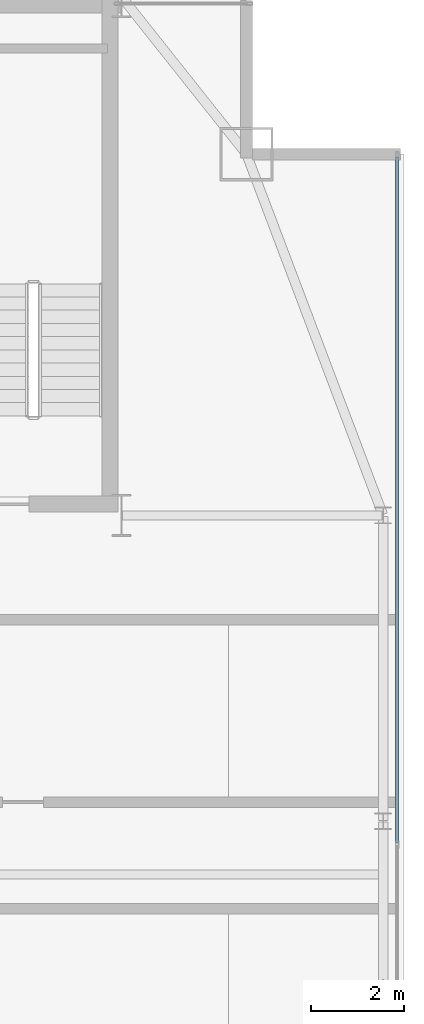
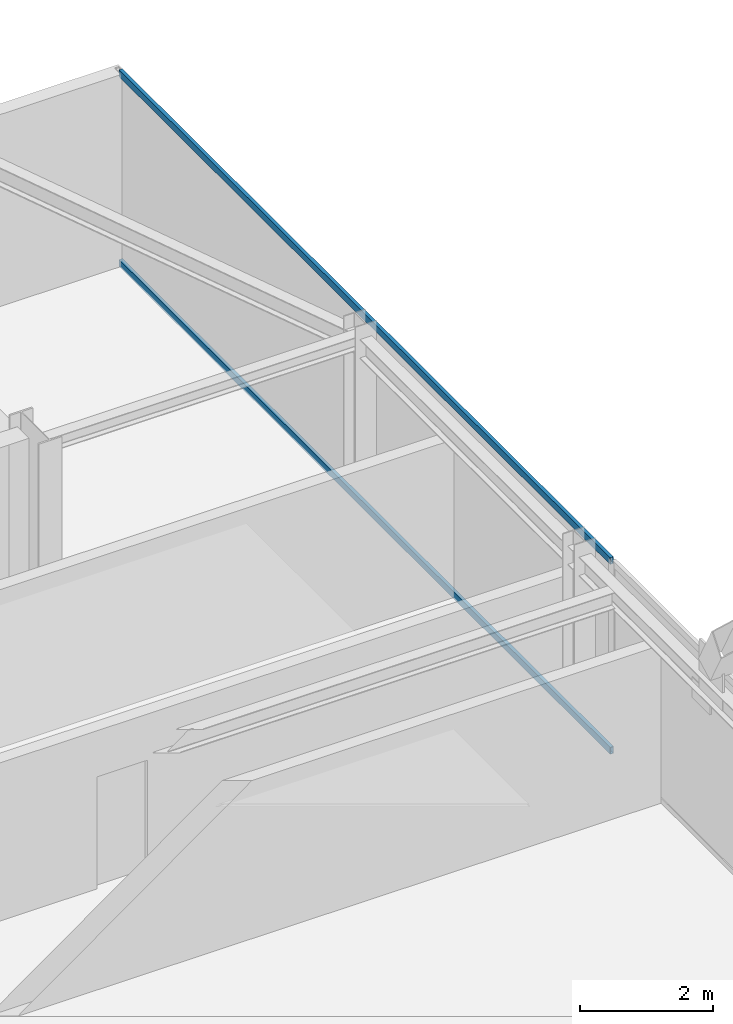
# One storey, part 16 of 26: 2 members, 1 element without a shape of its own.
"""IFC4 building model written with IfcOpenShell, lengths in metres."""

import ifcopenshell
import ifcopenshell.guid

model = None  # the IFC model being written
_history = None  # IfcOwnerHistory: only IFC2X3 demands one
_inside = {}  # id of a spatial element -> (the spatial element, [elements in it])
_under = {}  # id of a project, library or spatial element -> (it, [spatial elements below it])
_declared = {}  # id of a project -> (the project, [libraries it declares])
_typed = {}  # id of a type object -> (the type object, [elements of that type])
_made_of = {}  # id of a material, layer set ... -> (it, [elements and type objects made of it])


def new_model(schema):
    """Start an empty IFC model of exactly this schema.

    Asked for "IFC4X3", IfcOpenShell would pick the latest addendum, in which some entities
    have other attributes; the version numbers below select the first issue.
    IFC2X3 requires an IfcOwnerHistory on every rooted entity: one is made here for all.
    """
    global model, _history
    if schema == "IFC4X3":
        model = ifcopenshell.file(schema_version=(4, 3, 0, 0))
    else:
        model = ifcopenshell.file(schema=schema)
    _inside.clear()
    _under.clear()
    _declared.clear()
    _typed.clear()
    _made_of.clear()
    _history = None
    if model.schema == "IFC2X3":
        org = make("IfcOrganization", Name="unknown")
        user = make(
            "IfcPersonAndOrganization",
            ThePerson=make("IfcPerson", FamilyName="unknown"),
            TheOrganization=org,
        )
        app = make(
            "IfcApplication",
            ApplicationDeveloper=org,
            Version="unknown",
            ApplicationFullName="unknown",
            ApplicationIdentifier="unknown",
        )
        _history = make(
            "IfcOwnerHistory",
            OwningUser=user,
            OwningApplication=app,
            ChangeAction="ADDED",
            CreationDate=0,
        )
    return model


def make(cls, **values):
    """One entity of the class cls with the attributes given. An attribute that is None is left unset."""
    return model.create_entity(
        cls, **{name: value for name, value in values.items() if value is not None}
    )


def rooted(cls, **values):
    """An entity with a GlobalId (a new one), such as an element, a storey or a relation."""
    return make(cls, GlobalId=ifcopenshell.guid.new(), OwnerHistory=_history, **values)


def si_unit(unit_type, name, prefix=None):
    """IfcSIUnit, for example si_unit("LENGTHUNIT", "METRE", prefix="MILLI")."""
    return make("IfcSIUnit", UnitType=unit_type, Prefix=prefix, Name=name)


def assignment(units):
    """IfcUnitAssignment: the units of a project."""
    return None if units is None else make("IfcUnitAssignment", Units=units)


def point(xyz):
    """IfcCartesianPoint."""
    return None if xyz is None else make("IfcCartesianPoint", Coordinates=xyz)


def direction(xyz):
    """IfcDirection."""
    return None if xyz is None else make("IfcDirection", DirectionRatios=xyz)


def frame(location, z_axis=None, x_axis=None):
    """IfcAxis2Placement3D, a coordinate frame: its origin and axes. An axis left out is left unset."""
    return make(
        "IfcAxis2Placement3D",
        Location=point(location),
        Axis=direction(z_axis),
        RefDirection=direction(x_axis),
    )


def frame_2d(location, x_axis=None):
    """IfcAxis2Placement2D, a coordinate frame in the plane: its origin and x axis."""
    return make(
        "IfcAxis2Placement2D", Location=point(location), RefDirection=direction(x_axis)
    )


def origin():
    """The frame at (0, 0, 0) with its axes left unset."""
    return frame((0.0, 0.0, 0.0))


def origin_2d():
    """The frame at (0, 0) in the plane with its x axis left unset."""
    return frame_2d((0.0, 0.0))


def place(relative_to, where):
    """IfcLocalPlacement: puts the frame where relative to a parent placement (None: the world)."""
    return make(
        "IfcLocalPlacement", PlacementRelTo=relative_to, RelativePlacement=where
    )


def context(
    kind, dimensions, precision=None, world=None, true_north=None, identifier=None
):
    """IfcGeometricRepresentationContext, for example the 3D "Model" context."""
    return make(
        "IfcGeometricRepresentationContext",
        ContextIdentifier=identifier,
        ContextType=kind,
        CoordinateSpaceDimension=dimensions,
        Precision=precision,
        WorldCoordinateSystem=world,
        TrueNorth=true_north,
    )


def subcontext(parent, identifier, kind, view, scale=None):
    """IfcGeometricRepresentationSubContext, for example "Body" below "Model"."""
    return make(
        "IfcGeometricRepresentationSubContext",
        ContextIdentifier=identifier,
        ContextType=kind,
        ParentContext=parent,
        TargetScale=scale,
        TargetView=view,
    )


def project(units=None, contexts=None):
    """IfcProject with its units and contexts."""
    return rooted(
        "IfcProject",
        Name="project",
        RepresentationContexts=contexts,
        UnitsInContext=assignment(units),
    )


def spatial(cls, under=None, at=None, **own):
    """A site, building, storey or space (cls), placed at a placement, below another one or the project."""
    s = rooted(cls, ObjectPlacement=at, **own)
    if under is not None:
        _under.setdefault(under.id(), (under, []))[1].append(s)
    return s


def profile(cls, at=None, kind="AREA", **sizes):
    """A parametric profile (cls). Its sizes go by their IFC names, for example OverallWidth=200.0."""
    return make(cls, ProfileType=kind, Position=at, **sizes)


def hollow_rectangle(**sizes):
    """IfcRectangleHollowProfileDef."""
    return profile("IfcRectangleHollowProfileDef", **sizes)


def extrude(swept, where, along, depth):
    """IfcExtrudedAreaSolid: the profile swept, set in the frame where, extruded along a direction by depth."""
    return make(
        "IfcExtrudedAreaSolid",
        SweptArea=swept,
        Position=where,
        ExtrudedDirection=direction(along),
        Depth=depth,
    )


def shape(context_of_items, identifier, shape_type, items):
    """IfcShapeRepresentation: the items that make up one representation, for example the "Body"."""
    return make(
        "IfcShapeRepresentation",
        ContextOfItems=context_of_items,
        RepresentationIdentifier=identifier,
        RepresentationType=shape_type,
        Items=items,
    )


def source(mapping_origin, context_of_items, identifier, shape_type, items):
    """IfcRepresentationMap: a shape defined once, which mapped items show again and again."""
    return make(
        "IfcRepresentationMap",
        MappingOrigin=mapping_origin,
        MappedRepresentation=shape(context_of_items, identifier, shape_type, items),
    )


def transform(
    local_origin,
    x_axis=None,
    y_axis=None,
    z_axis=None,
    scale=None,
    scale2=None,
    scale3=None,
    uniform=True,
):
    """IfcCartesianTransformationOperator3D, or its non-uniform kind. x_axis, y_axis, z_axis: its Axis1, 2, 3."""
    if uniform:
        return make(
            "IfcCartesianTransformationOperator3D",
            Axis1=direction(x_axis),
            Axis2=direction(y_axis),
            LocalOrigin=point(local_origin),
            Scale=scale,
            Axis3=direction(z_axis),
        )
    return make(
        "IfcCartesianTransformationOperator3DnonUniform",
        Axis1=direction(x_axis),
        Axis2=direction(y_axis),
        LocalOrigin=point(local_origin),
        Scale=scale,
        Axis3=direction(z_axis),
        Scale2=scale2,
        Scale3=scale3,
    )


def mapped(mapping_source, mapping_target):
    """IfcMappedItem: shows the shape of a source again, moved by a transform."""
    return make(
        "IfcMappedItem", MappingSource=mapping_source, MappingTarget=mapping_target
    )


def material(Name=None, Category=None):
    """IfcMaterial."""
    return make("IfcMaterial", Name=Name, Category=Category)


def layer(
    of_material, thickness, ventilated=None, Name=None, Category=None, Priority=None
):
    """IfcMaterialLayer: one layer of a wall or slab, of a material (None: an air gap)."""
    return make(
        "IfcMaterialLayer",
        Material=of_material,
        LayerThickness=thickness,
        IsVentilated=ventilated,
        Name=Name,
        Category=Category,
        Priority=Priority,
    )


def layer_set(layers, Name=None):
    """IfcMaterialLayerSet."""
    return make("IfcMaterialLayerSet", MaterialLayers=layers, LayerSetName=Name)


def material_profile(
    of_material, cross_section, Name=None, Category=None, Priority=None
):
    """IfcMaterialProfile: a cross section and its material."""
    return make(
        "IfcMaterialProfile",
        Name=Name,
        Material=of_material,
        Profile=cross_section,
        Priority=Priority,
        Category=Category,
    )


def profile_set(profiles, Name=None, composite=None):
    """IfcMaterialProfileSet."""
    return make(
        "IfcMaterialProfileSet",
        Name=Name,
        MaterialProfiles=profiles,
        CompositeProfile=composite,
    )


def made_of(thing, what):
    """Note that an element or type object is made of a material, layer set ...; save() writes the relation."""
    if what is not None:
        _made_of.setdefault(what.id(), (what, []))[1].append(thing)
    return thing


def type_object(cls, material=None, **own):
    """A type object (cls), such as IfcWallType, which elements share."""
    return made_of(rooted(cls, **own), material)


def type_shapes(of_type, sources):
    """Give a type object the sources (RepresentationMaps) that its elements show as mapped items."""
    of_type.RepresentationMaps = sources


def element(
    cls,
    number,
    at=None,
    inside=None,
    cuts=None,
    type_object=None,
    material=None,
    context=None,
    identifier="Body",
    shape_type=None,
    held_by="IfcProductDefinitionShape",
    body=None,
    shapes=None,
    **own,
):
    """One element of the class cls, such as IfcWall. Its Tag is "e" and its number.

    at: its placement. inside: the storey or other place that contains it. cuts: it is an
    opening in that element (IfcRelVoidsElement). A single representation is given by context,
    identifier, shape_type and body (its items); several are given by shapes. held_by: the class
    of the entity that holds the representations. save() writes the other relations.
    """
    e = rooted(cls, Tag="e%d" % number, ObjectPlacement=at, **own)
    if body is not None:
        shapes = [shape(context, identifier, shape_type, body)]
    if shapes is not None:
        e.Representation = make(held_by, Representations=shapes)
    if inside is not None:
        _inside.setdefault(inside.id(), (inside, []))[1].append(e)
    if cuts is not None:
        rooted(
            "IfcRelVoidsElement", RelatingBuildingElement=cuts, RelatedOpeningElement=e
        )
    if type_object is not None:
        _typed.setdefault(type_object.id(), (type_object, []))[1].append(e)
    return made_of(e, material)


def aggregate(whole, parts):
    """IfcRelAggregates: a whole, such as a stair, and the parts it consists of."""
    return rooted("IfcRelAggregates", RelatingObject=whole, RelatedObjects=parts)


def save(model, path):
    """Write the relations noted so far, then the file.

    IfcRelAggregates (storeys below a building ...), IfcRelContainedInSpatialStructure (elements
    in a storey), IfcRelDefinesByType, IfcRelAssociatesMaterial and IfcRelDeclares: one each for
    every whole, place, type object, material and project.
    """
    for whole, parts in _under.values():
        aggregate(whole, parts)
    for where, things in _inside.values():
        rooted(
            "IfcRelContainedInSpatialStructure",
            RelatedElements=things,
            RelatingStructure=where,
        )
    for kind, things in _typed.values():
        rooted("IfcRelDefinesByType", RelatedObjects=things, RelatingType=kind)
    for what, things in _made_of.values():
        rooted("IfcRelAssociatesMaterial", RelatedObjects=things, RelatingMaterial=what)
    for by, libraries in _declared.values():
        rooted("IfcRelDeclares", RelatingContext=by, RelatedDefinitions=libraries)
    model.write(path)


model = new_model("IFC4")

# Units and contexts
model_context = context("Model", 3, precision=1e-05, world=origin(), true_north=direction((0.0, 1.0)))
body_context = subcontext(model_context, "Body", "Model", "MODEL_VIEW")
ifc_project = project(units=[si_unit("LENGTHUNIT", "METRE"), si_unit("AREAUNIT", "SQUARE_METRE"), si_unit("VOLUMEUNIT", "CUBIC_METRE"), si_unit("PLANEANGLEUNIT", "RADIAN"), si_unit("MASSUNIT", "GRAM", prefix="KILO")], contexts=[model_context])

# Site, building, storey
site_placement = place(None, origin())
site = spatial("IfcSite", under=ifc_project, at=site_placement, CompositionType="ELEMENT")
building_placement = place(site_placement, origin())
building = spatial("IfcBuilding", under=site, at=building_placement, Name="Varnel Quay Broadcast Tower", CompositionType="ELEMENT")
storey_placement = place(building_placement, frame((0.0, 0.0, 218.800048828125)))
storey = spatial("IfcBuildingStorey", under=building, at=storey_placement, Name="L54", CompositionType="ELEMENT", Elevation=218.800048828125)

# Curtain wall, members
ifc_material = material(Name="Anodised Bronze Aluminium 6063-T6", Category="aluminium")
ifc_layer = layer(ifc_material, 0.18994140625, Name="Anodised Bronze Aluminium 6063-T6")
ifc_layer_set = layer_set([ifc_layer], Name="Anodised Bronze Aluminium 6063-T6")
curtain_wall_type = type_object("IfcCurtainWallType", Name="CW_UpperTower", PredefinedType="NOTDEFINED", material=ifc_layer_set)
curtain_wall_placement = place(storey_placement, origin())
curtain_wall = element("IfcCurtainWall", 1, at=curtain_wall_placement, inside=storey, type_object=curtain_wall_type, Name="L54 East Unitised Curtain Wall", PredefinedType="NOTDEFINED")
ifc_material_profile = material_profile(ifc_material, hollow_rectangle(XDim=0.06005859375, YDim=0.125, WallThickness=0.0029296875, at=origin_2d()), Name="ALU60X125X3")
ifc_profile_set = profile_set([ifc_material_profile], Name="Anodised Bronze Aluminium 6063-T6")
member_type = type_object("IfcMemberType", Name="Tran_CWS-03", PredefinedType="USERDEFINED", material=ifc_profile_set)
shared_shape = source(origin(), body_context, "Body", "SweptSolid", [
    extrude(hollow_rectangle(XDim=0.06005859375, YDim=0.125, WallThickness=0.0029296875, at=origin_2d()), origin(), (0.0, 0.0, 1.0), 14.802490234375),
])
type_shapes(member_type, [shared_shape])
member_1_placement = place(storey_placement, frame((58.35009765625, 28.532470703125, 0.030029296875), z_axis=(0.0, 1.0, 0.0), x_axis=(-1.0, 0.0, 0.0)))
member_1 = element("IfcMember", 2, at=member_1_placement, type_object=member_type, Name="CWS-03 transom 2.1", ObjectType="TRANSOM", PredefinedType="USERDEFINED", context=body_context, shape_type="MappedRepresentation", body=[
    mapped(shared_shape, transform((0.0, 0.0, 0.0), x_axis=(1.0, 0.0, 0.0), y_axis=(0.0, 1.0, 0.0), z_axis=(0.0, 0.0, 1.0), scale=1.0)),
])
member_2_placement = place(storey_placement, frame((58.35009765625, 28.532470703125, 3.52001953125), z_axis=(0.0, 1.0, 0.0), x_axis=(-1.0, 0.0, 0.0)))
member_2 = element("IfcMember", 3, at=member_2_placement, type_object=member_type, Name="CWS-03 transom 2.2", ObjectType="TRANSOM", PredefinedType="USERDEFINED", context=body_context, shape_type="MappedRepresentation", body=[
    mapped(shared_shape, transform((0.0, 0.0, 0.0), x_axis=(1.0, 0.0, 0.0), y_axis=(0.0, 1.0, 0.0), z_axis=(0.0, 0.0, 1.0), scale=1.0)),
])
aggregate(curtain_wall, [member_1, member_2])

save(model, "model.ifc")
